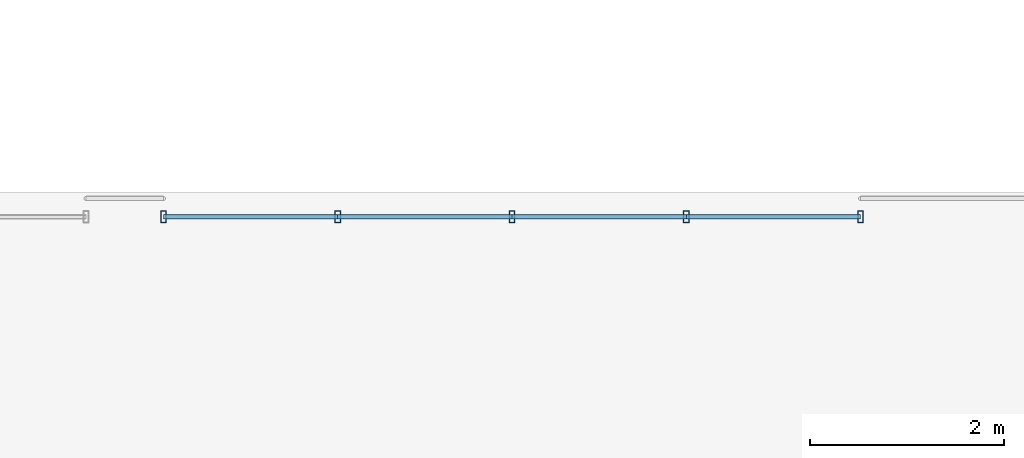
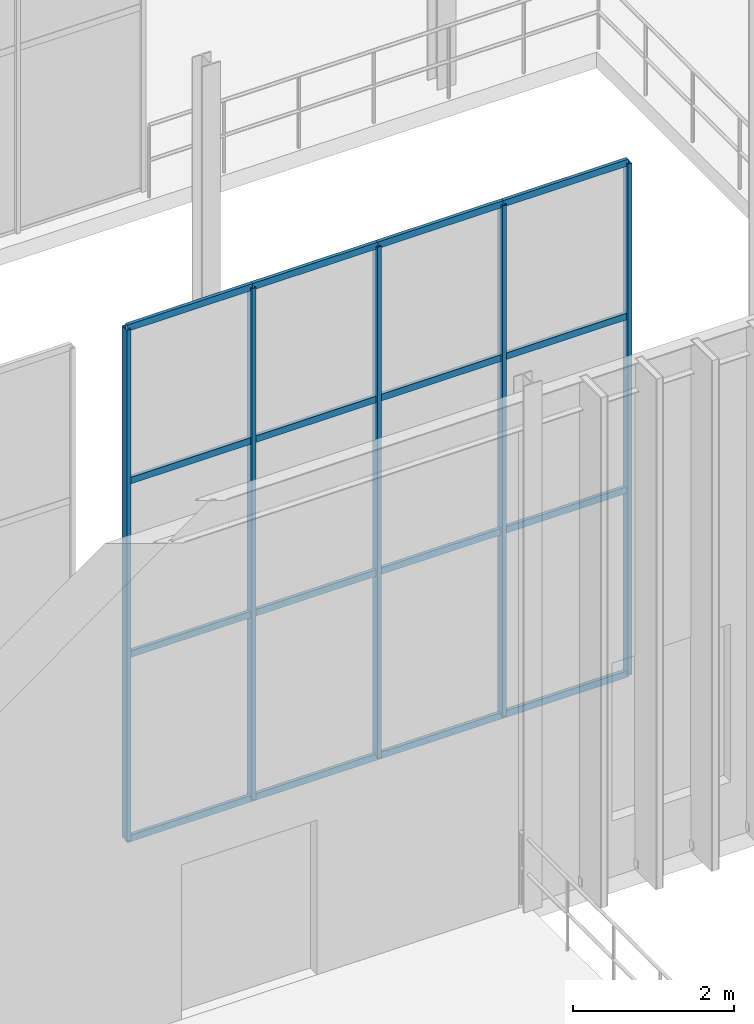
# One storey, part 61 of 138: 21 members, 1 element without a shape of its own.
"""IFC4 building model written with IfcOpenShell, lengths in metres."""

from ifc_helpers import new_model, si_unit, direction, frame, origin, origin_2d, place, context, subcontext, project, spatial, hollow_rectangle, extrude, material, material_profile, profile_set, type_object, element, aggregate, save


model = new_model("IFC4")

# Units and contexts
model_context = context("Model", 3, precision=1e-05, world=origin(), true_north=direction((0.0, 1.0)))
body_context = subcontext(model_context, "Body", "Model", "MODEL_VIEW")
ifc_project = project(units=[si_unit("LENGTHUNIT", "METRE"), si_unit("AREAUNIT", "SQUARE_METRE"), si_unit("VOLUMEUNIT", "CUBIC_METRE"), si_unit("PLANEANGLEUNIT", "RADIAN"), si_unit("MASSUNIT", "GRAM", prefix="KILO")], contexts=[model_context])

# Site, building, storey
site_placement = place(None, origin())
site = spatial("IfcSite", under=ifc_project, at=site_placement, CompositionType="ELEMENT")
building_placement = place(site_placement, origin())
building = spatial("IfcBuilding", under=site, at=building_placement, Name="Sundkrona Museum", CompositionType="ELEMENT")
storey_placement = place(building_placement, frame((0.0, 0.0, 9.60009765625)))
storey = spatial("IfcBuildingStorey", under=building, at=storey_placement, Name="L02", CompositionType="ELEMENT", Elevation=9.60009765625)

# Curtain wall, members
ifc_material_1 = material(Name="Unitised Aluminium-Steel and Ceramic-Clad Curtain Walling", Category="steel")
curtain_wall_type = type_object("IfcCurtainWallType", Name="CW-CL-64x48", PredefinedType="NOTDEFINED", material=ifc_material_1)
curtain_wall_placement = place(storey_placement, origin())
curtain_wall = element("IfcCurtainWall", 1, at=curtain_wall_placement, inside=storey, type_object=curtain_wall_type, Name="L02 Curtain Wall CW-L02-134", PredefinedType="NOTDEFINED")
ifc_material_2 = material(Name="Aluminium EN AW-6060 T66", Category="aluminium")
ifc_material_profile_1 = material_profile(ifc_material_2, hollow_rectangle(XDim=0.06005859375, YDim=0.1201171875, WallThickness=0.0048828125, at=origin_2d()), Name="RHS 120x60x5.0")
ifc_profile_set_1 = profile_set([ifc_material_profile_1], Name="Aluminium EN AW-6060 T66")
member_type_1 = type_object("IfcMemberType", Name="ML-120", PredefinedType="MULLION", material=ifc_profile_set_1)
member_1_placement = place(storey_placement, frame((36.39990234375, 81.75, -0.004150390625), z_axis=(0.0, 0.0, 1.0), x_axis=(1.0, 0.0, 0.0)))
member_1 = element("IfcMember", 2, at=member_1_placement, type_object=member_type_1, Name="CW-L02-134 Mullion 01", PredefinedType="MULLION", context=body_context, shape_type="SweptSolid", body=[
    extrude(hollow_rectangle(XDim=0.06005859375, YDim=0.1201171875, WallThickness=0.0048828125, at=origin_2d()), origin(), (0.0, 0.0, 1.0), 7.76806640625),
])
member_2_placement = place(storey_placement, frame((38.199951171875, 81.75, -0.004150390625), z_axis=(0.0, 0.0, 1.0), x_axis=(1.0, 0.0, 0.0)))
member_2 = element("IfcMember", 3, at=member_2_placement, type_object=member_type_1, Name="CW-L02-134 Mullion 02", PredefinedType="MULLION", context=body_context, shape_type="SweptSolid", body=[
    extrude(hollow_rectangle(XDim=0.06005859375, YDim=0.1201171875, WallThickness=0.0048828125, at=origin_2d()), origin(), (0.0, 0.0, 1.0), 7.76806640625),
])
member_3_placement = place(storey_placement, frame((40.0, 81.75, -0.004150390625), z_axis=(0.0, 0.0, 1.0), x_axis=(1.0, 0.0, 0.0)))
member_3 = element("IfcMember", 4, at=member_3_placement, type_object=member_type_1, Name="CW-L02-134 Mullion 03", PredefinedType="MULLION", context=body_context, shape_type="SweptSolid", body=[
    extrude(hollow_rectangle(XDim=0.06005859375, YDim=0.1201171875, WallThickness=0.0048828125, at=origin_2d()), origin(), (0.0, 0.0, 1.0), 7.76806640625),
])
member_4_placement = place(storey_placement, frame((41.800048828125, 81.75, -0.004150390625), z_axis=(0.0, 0.0, 1.0), x_axis=(1.0, 0.0, 0.0)))
member_4 = element("IfcMember", 5, at=member_4_placement, type_object=member_type_1, Name="CW-L02-134 Mullion 04", PredefinedType="MULLION", context=body_context, shape_type="SweptSolid", body=[
    extrude(hollow_rectangle(XDim=0.06005859375, YDim=0.1201171875, WallThickness=0.0048828125, at=origin_2d()), origin(), (0.0, 0.0, 1.0), 7.76806640625),
])
member_5_placement = place(storey_placement, frame((43.60009765625, 81.75, -0.004150390625), z_axis=(0.0, 0.0, 1.0), x_axis=(1.0, 0.0, 0.0)))
member_5 = element("IfcMember", 6, at=member_5_placement, type_object=member_type_1, Name="CW-L02-134 Mullion 05", PredefinedType="MULLION", context=body_context, shape_type="SweptSolid", body=[
    extrude(hollow_rectangle(XDim=0.06005859375, YDim=0.1201171875, WallThickness=0.0048828125, at=origin_2d()), origin(), (0.0, 0.0, 1.0), 7.76806640625),
])
ifc_material_profile_2 = material_profile(ifc_material_2, hollow_rectangle(XDim=0.050048828125, YDim=0.10009765625, WallThickness=0.0048828125, at=origin_2d()), Name="RHS 100x50x5.0")
ifc_profile_set_2 = profile_set([ifc_material_profile_2], Name="Aluminium EN AW-6060 T66")
member_type_2 = type_object("IfcMemberType", Name="TR-100", PredefinedType="USERDEFINED", material=ifc_profile_set_2)
member_6_placement = place(storey_placement, frame((36.39990234375, 81.75, -0.004150390625), z_axis=(1.0, 0.0, 0.0), x_axis=(0.0, 1.0, 0.0)))
member_6 = element("IfcMember", 7, at=member_6_placement, type_object=member_type_2, Name="CW-L02-134 Transom 01", ObjectType="TRANSOM", PredefinedType="USERDEFINED", context=body_context, shape_type="SweptSolid", body=[
    extrude(hollow_rectangle(XDim=0.050048828125, YDim=0.10009765625, WallThickness=0.0048828125, at=origin_2d()), origin(), (0.0, 0.0, 1.0), 1.800048828125),
])
member_7_placement = place(storey_placement, frame((36.39990234375, 81.75, 2.7939453125), z_axis=(1.0, 0.0, 0.0), x_axis=(0.0, 1.0, 0.0)))
member_7 = element("IfcMember", 8, at=member_7_placement, type_object=member_type_2, Name="CW-L02-134 Transom 02", ObjectType="TRANSOM", PredefinedType="USERDEFINED", context=body_context, shape_type="SweptSolid", body=[
    extrude(hollow_rectangle(XDim=0.050048828125, YDim=0.10009765625, WallThickness=0.0048828125, at=origin_2d()), origin(), (0.0, 0.0, 1.0), 1.800048828125),
])
member_8_placement = place(storey_placement, frame((36.39990234375, 81.75, 5.431884765625), z_axis=(1.0, 0.0, 0.0), x_axis=(0.0, 1.0, 0.0)))
member_8 = element("IfcMember", 9, at=member_8_placement, type_object=member_type_2, Name="CW-L02-134 Transom 03", ObjectType="TRANSOM", PredefinedType="USERDEFINED", context=body_context, shape_type="SweptSolid", body=[
    extrude(hollow_rectangle(XDim=0.050048828125, YDim=0.10009765625, WallThickness=0.0048828125, at=origin_2d()), origin(), (0.0, 0.0, 1.0), 1.800048828125),
])
member_9_placement = place(storey_placement, frame((36.39990234375, 81.75, 7.763916015625), z_axis=(1.0, 0.0, 0.0), x_axis=(0.0, 1.0, 0.0)))
member_9 = element("IfcMember", 10, at=member_9_placement, type_object=member_type_2, Name="CW-L02-134 Transom 04", ObjectType="TRANSOM", PredefinedType="USERDEFINED", context=body_context, shape_type="SweptSolid", body=[
    extrude(hollow_rectangle(XDim=0.050048828125, YDim=0.10009765625, WallThickness=0.0048828125, at=origin_2d()), origin(), (0.0, 0.0, 1.0), 1.800048828125),
])
member_10_placement = place(storey_placement, frame((38.199951171875, 81.75, -0.004150390625), z_axis=(1.0, 0.0, 0.0), x_axis=(0.0, 1.0, 0.0)))
member_10 = element("IfcMember", 11, at=member_10_placement, type_object=member_type_2, Name="CW-L02-134 Transom 05", ObjectType="TRANSOM", PredefinedType="USERDEFINED", context=body_context, shape_type="SweptSolid", body=[
    extrude(hollow_rectangle(XDim=0.050048828125, YDim=0.10009765625, WallThickness=0.0048828125, at=origin_2d()), origin(), (0.0, 0.0, 1.0), 1.800048828125),
])
member_11_placement = place(storey_placement, frame((38.199951171875, 81.75, 2.7939453125), z_axis=(1.0, 0.0, 0.0), x_axis=(0.0, 1.0, 0.0)))
member_11 = element("IfcMember", 12, at=member_11_placement, type_object=member_type_2, Name="CW-L02-134 Transom 06", ObjectType="TRANSOM", PredefinedType="USERDEFINED", context=body_context, shape_type="SweptSolid", body=[
    extrude(hollow_rectangle(XDim=0.050048828125, YDim=0.10009765625, WallThickness=0.0048828125, at=origin_2d()), origin(), (0.0, 0.0, 1.0), 1.800048828125),
])
member_12_placement = place(storey_placement, frame((38.199951171875, 81.75, 5.431884765625), z_axis=(1.0, 0.0, 0.0), x_axis=(0.0, 1.0, 0.0)))
member_12 = element("IfcMember", 13, at=member_12_placement, type_object=member_type_2, Name="CW-L02-134 Transom 07", ObjectType="TRANSOM", PredefinedType="USERDEFINED", context=body_context, shape_type="SweptSolid", body=[
    extrude(hollow_rectangle(XDim=0.050048828125, YDim=0.10009765625, WallThickness=0.0048828125, at=origin_2d()), origin(), (0.0, 0.0, 1.0), 1.800048828125),
])
member_13_placement = place(storey_placement, frame((38.199951171875, 81.75, 7.763916015625), z_axis=(1.0, 0.0, 0.0), x_axis=(0.0, 1.0, 0.0)))
member_13 = element("IfcMember", 14, at=member_13_placement, type_object=member_type_2, Name="CW-L02-134 Transom 08", ObjectType="TRANSOM", PredefinedType="USERDEFINED", context=body_context, shape_type="SweptSolid", body=[
    extrude(hollow_rectangle(XDim=0.050048828125, YDim=0.10009765625, WallThickness=0.0048828125, at=origin_2d()), origin(), (0.0, 0.0, 1.0), 1.800048828125),
])
member_14_placement = place(storey_placement, frame((40.0, 81.75, -0.004150390625), z_axis=(1.0, 0.0, 0.0), x_axis=(0.0, 1.0, 0.0)))
member_14 = element("IfcMember", 15, at=member_14_placement, type_object=member_type_2, Name="CW-L02-134 Transom 09", ObjectType="TRANSOM", PredefinedType="USERDEFINED", context=body_context, shape_type="SweptSolid", body=[
    extrude(hollow_rectangle(XDim=0.050048828125, YDim=0.10009765625, WallThickness=0.0048828125, at=origin_2d()), origin(), (0.0, 0.0, 1.0), 1.800048828125),
])
member_15_placement = place(storey_placement, frame((40.0, 81.75, 2.7939453125), z_axis=(1.0, 0.0, 0.0), x_axis=(0.0, 1.0, 0.0)))
member_15 = element("IfcMember", 16, at=member_15_placement, type_object=member_type_2, Name="CW-L02-134 Transom 10", ObjectType="TRANSOM", PredefinedType="USERDEFINED", context=body_context, shape_type="SweptSolid", body=[
    extrude(hollow_rectangle(XDim=0.050048828125, YDim=0.10009765625, WallThickness=0.0048828125, at=origin_2d()), origin(), (0.0, 0.0, 1.0), 1.800048828125),
])
member_16_placement = place(storey_placement, frame((40.0, 81.75, 5.431884765625), z_axis=(1.0, 0.0, 0.0), x_axis=(0.0, 1.0, 0.0)))
member_16 = element("IfcMember", 17, at=member_16_placement, type_object=member_type_2, Name="CW-L02-134 Transom 11", ObjectType="TRANSOM", PredefinedType="USERDEFINED", context=body_context, shape_type="SweptSolid", body=[
    extrude(hollow_rectangle(XDim=0.050048828125, YDim=0.10009765625, WallThickness=0.0048828125, at=origin_2d()), origin(), (0.0, 0.0, 1.0), 1.800048828125),
])
member_17_placement = place(storey_placement, frame((40.0, 81.75, 7.763916015625), z_axis=(1.0, 0.0, 0.0), x_axis=(0.0, 1.0, 0.0)))
member_17 = element("IfcMember", 18, at=member_17_placement, type_object=member_type_2, Name="CW-L02-134 Transom 12", ObjectType="TRANSOM", PredefinedType="USERDEFINED", context=body_context, shape_type="SweptSolid", body=[
    extrude(hollow_rectangle(XDim=0.050048828125, YDim=0.10009765625, WallThickness=0.0048828125, at=origin_2d()), origin(), (0.0, 0.0, 1.0), 1.800048828125),
])
member_18_placement = place(storey_placement, frame((41.800048828125, 81.75, -0.004150390625), z_axis=(1.0, 0.0, 0.0), x_axis=(0.0, 1.0, 0.0)))
member_18 = element("IfcMember", 19, at=member_18_placement, type_object=member_type_2, Name="CW-L02-134 Transom 13", ObjectType="TRANSOM", PredefinedType="USERDEFINED", context=body_context, shape_type="SweptSolid", body=[
    extrude(hollow_rectangle(XDim=0.050048828125, YDim=0.10009765625, WallThickness=0.0048828125, at=origin_2d()), origin(), (0.0, 0.0, 1.0), 1.800048828125),
])
member_19_placement = place(storey_placement, frame((41.800048828125, 81.75, 2.7939453125), z_axis=(1.0, 0.0, 0.0), x_axis=(0.0, 1.0, 0.0)))
member_19 = element("IfcMember", 20, at=member_19_placement, type_object=member_type_2, Name="CW-L02-134 Transom 14", ObjectType="TRANSOM", PredefinedType="USERDEFINED", context=body_context, shape_type="SweptSolid", body=[
    extrude(hollow_rectangle(XDim=0.050048828125, YDim=0.10009765625, WallThickness=0.0048828125, at=origin_2d()), origin(), (0.0, 0.0, 1.0), 1.800048828125),
])
member_20_placement = place(storey_placement, frame((41.800048828125, 81.75, 5.431884765625), z_axis=(1.0, 0.0, 0.0), x_axis=(0.0, 1.0, 0.0)))
member_20 = element("IfcMember", 21, at=member_20_placement, type_object=member_type_2, Name="CW-L02-134 Transom 15", ObjectType="TRANSOM", PredefinedType="USERDEFINED", context=body_context, shape_type="SweptSolid", body=[
    extrude(hollow_rectangle(XDim=0.050048828125, YDim=0.10009765625, WallThickness=0.0048828125, at=origin_2d()), origin(), (0.0, 0.0, 1.0), 1.800048828125),
])
member_21_placement = place(storey_placement, frame((41.800048828125, 81.75, 7.763916015625), z_axis=(1.0, 0.0, 0.0), x_axis=(0.0, 1.0, 0.0)))
member_21 = element("IfcMember", 22, at=member_21_placement, type_object=member_type_2, Name="CW-L02-134 Transom 16", ObjectType="TRANSOM", PredefinedType="USERDEFINED", context=body_context, shape_type="SweptSolid", body=[
    extrude(hollow_rectangle(XDim=0.050048828125, YDim=0.10009765625, WallThickness=0.0048828125, at=origin_2d()), origin(), (0.0, 0.0, 1.0), 1.800048828125),
])
aggregate(curtain_wall, [member_1, member_2, member_3, member_4, member_5, member_6, member_7, member_8, member_9, member_10, member_11, member_12, member_13, member_14, member_15, member_16, member_17, member_18, member_19, member_20, member_21])

save(model, "model.ifc")
